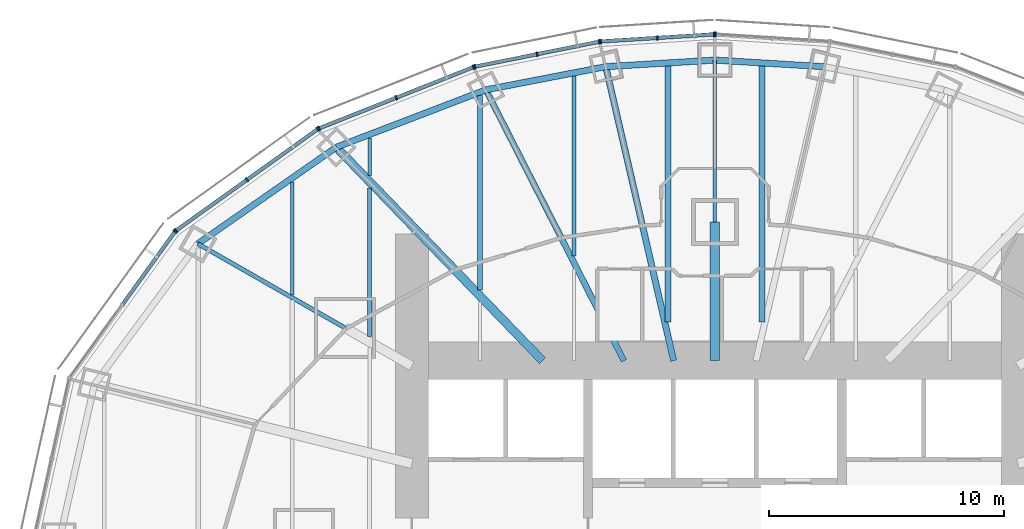
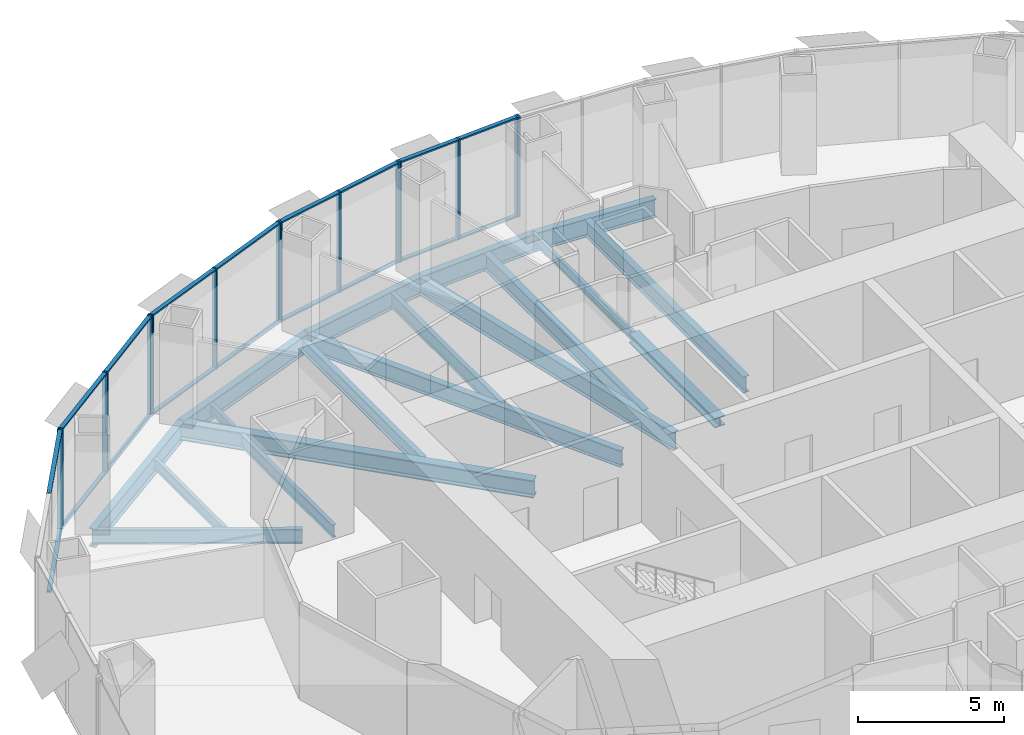
# One storey, part 7 of 18: 32 members, 18 beams, 6 elements without a shape of their own.
"""IFC4 building model written with IfcOpenShell, lengths in metres."""

from ifc_helpers import new_model, si_unit, direction, frame, origin, origin_2d, place, context, subcontext, project, spatial, rectangle, i_section, extrude, material, material_profile, profile_set, type_object, element, aggregate, save


model = new_model("IFC4")

# Units and contexts
model_context = context("Model", 3, precision=1e-05, world=origin(), true_north=direction((0.0, 1.0)))
body_context = subcontext(model_context, "Body", "Model", "MODEL_VIEW")
ifc_project = project(units=[si_unit("LENGTHUNIT", "METRE"), si_unit("AREAUNIT", "SQUARE_METRE"), si_unit("VOLUMEUNIT", "CUBIC_METRE"), si_unit("PLANEANGLEUNIT", "RADIAN"), si_unit("MASSUNIT", "GRAM", prefix="KILO")], contexts=[model_context])

# Site, building, storey
site_placement = place(None, origin())
site = spatial("IfcSite", under=ifc_project, at=site_placement, CompositionType="ELEMENT")
building_placement = place(site_placement, origin())
building = spatial("IfcBuilding", under=site, at=building_placement, Name="Lantaw Convention Tower", CompositionType="ELEMENT")
storey_placement = place(building_placement, frame((0.0, 0.0, 138.39990234375)))
storey = spatial("IfcBuildingStorey", under=building, at=storey_placement, Name="L32", CompositionType="ELEMENT", Elevation=138.39990234375)

# Beams
ifc_material_1 = material(Name="Steel ASTM A992", Category="steel")
ifc_material_profile_1 = material_profile(ifc_material_1, i_section(OverallWidth=0.2666015625, OverallDepth=0.76953125, WebThickness=0.015625, FlangeThickness=0.025390625, FilletRadius=0.0126953125, at=origin_2d()), Name="W30X132")
ifc_profile_set_1 = profile_set([ifc_material_profile_1], Name="Steel ASTM A992")
beam_type_1 = type_object("IfcBeamType", Name="Beam E W30X132", PredefinedType="SPANDREL", material=ifc_profile_set_1)
for number, where, z_axis, x_axis, name in (
    (1, (4.64501953125, 20.1201171875, -0.53466796875), (-0.998190892054, 0.06012439621, 0.0), (-0.06012439621, -0.998190892054, 0.0), "Edge beam 6"),
    (2, (0.0, 20.39990234375, -0.53466796875), (-0.998190892054, -0.06012439621, 0.0), (0.06012439621, -0.998190892054, 0.0), "Edge beam 7"),
):
    element("IfcBeam", number, at=place(storey_placement, frame(where, z_axis=z_axis, x_axis=x_axis)), inside=storey, type_object=beam_type_1, Name=name, PredefinedType="SPANDREL", context=body_context, shape_type="SweptSolid", body=[
        extrude(i_section(OverallWidth=0.2666015625, OverallDepth=0.76953125, WebThickness=0.015625, FlangeThickness=0.025390625, FilletRadius=0.0126953125, at=origin_2d()), origin(), (0.0, 0.0, 1.0), 4.6533203125),
    ])
beam_1_placement = place(storey_placement, frame((-4.64501953125, 20.1201171875, -0.53466796875), z_axis=(-0.981796805654, -0.189934284446, 0.0), x_axis=(0.189934284446, -0.981796805654, 0.0)))
element("IfcBeam", 3, at=beam_1_placement, inside=storey, type_object=beam_type_1, Name="Edge beam 8", PredefinedType="SPANDREL", context=body_context, shape_type="SweptSolid", body=[
    extrude(i_section(OverallWidth=0.2666015625, OverallDepth=0.76953125, WebThickness=0.015625, FlangeThickness=0.025390625, FilletRadius=0.0126953125, at=origin_2d()), origin(), (0.0, 0.0, 1.0), 5.1982421875),
])
beam_2_placement = place(storey_placement, frame((-9.74853515625, 19.1328125, -0.53466796875), z_axis=(-0.933691081977, -0.358079549033, 0.0), x_axis=(0.358079549033, -0.933691081977, 0.0)))
element("IfcBeam", 4, at=beam_2_placement, inside=storey, type_object=beam_type_1, Name="Edge beam 9", PredefinedType="SPANDREL", context=body_context, shape_type="SweptSolid", body=[
    extrude(i_section(OverallWidth=0.2666015625, OverallDepth=0.76953125, WebThickness=0.015625, FlangeThickness=0.025390625, FilletRadius=0.0126953125, at=origin_2d()), origin(), (0.0, 0.0, 1.0), 6.821533203125),
])
beam_3_placement = place(storey_placement, frame((-16.11767578125, 16.690185546875, -0.53466796875), z_axis=(-0.820310765287, -0.57191804339, 0.0), x_axis=(0.57191804339, -0.820310765287, 0.0)))
element("IfcBeam", 5, at=beam_3_placement, inside=storey, type_object=beam_type_1, Name="Edge beam 10", PredefinedType="SPANDREL", context=body_context, shape_type="SweptSolid", body=[
    extrude(i_section(OverallWidth=0.2666015625, OverallDepth=0.76953125, WebThickness=0.015625, FlangeThickness=0.025390625, FilletRadius=0.0126953125, at=origin_2d()), origin(), (0.0, 0.0, 1.0), 7.187744140625),
])
ifc_material_profile_2 = material_profile(ifc_material_1, i_section(OverallWidth=0.140380859375, OverallDepth=0.40380859375, WebThickness=0.007080078125, FlangeThickness=0.01123046875, FilletRadius=0.01025390625, at=origin_2d()), Name="W16X31")
ifc_profile_set_2 = profile_set([ifc_material_profile_2], Name="Steel ASTM A992")
beam_type_2 = type_object("IfcBeamType", Name="Beam G W16X31", PredefinedType="BEAM", material=ifc_profile_set_2)
beam_4_placement = place(storey_placement, frame((0.0, 13.5, -0.351806640625), z_axis=(0.0, 1.0, 0.0), x_axis=(-1.0, 0.0, 0.0)))
element("IfcBeam", 6, at=beam_4_placement, inside=storey, type_object=beam_type_2, Name="Floor girder on ray 7", PredefinedType="BEAM", context=body_context, shape_type="SweptSolid", body=[
    extrude(i_section(OverallWidth=0.140380859375, OverallDepth=0.40380859375, WebThickness=0.007080078125, FlangeThickness=0.01123046875, FilletRadius=0.01025390625, at=origin_2d()), origin(), (0.0, 0.0, 1.0), 6.89990234375),
])
ifc_material_profile_3 = material_profile(ifc_material_1, i_section(OverallWidth=0.177978515625, OverallDepth=0.599365234375, WebThickness=0.010009765625, FlangeThickness=0.012939453125, FilletRadius=0.012939453125, at=origin_2d()), Name="W24X55")
ifc_profile_set_3 = profile_set([ifc_material_profile_3], Name="Steel ASTM A992")
beam_type_3 = type_object("IfcBeamType", Name="Beam G W24X55", PredefinedType="BEAM", material=ifc_profile_set_3)
beam_5_placement = place(storey_placement, frame((-15.75, 9.0, -0.44970703125), z_axis=(-0.868245224608, 0.496135293993, 0.0), x_axis=(-0.496135293993, -0.868245224608, 0.0)))
element("IfcBeam", 7, at=beam_5_placement, inside=storey, type_object=beam_type_3, Name="Floor girder on ray 11", PredefinedType="BEAM", context=body_context, shape_type="SweptSolid", body=[
    extrude(i_section(OverallWidth=0.177978515625, OverallDepth=0.599365234375, WebThickness=0.010009765625, FlangeThickness=0.012939453125, FilletRadius=0.012939453125, at=origin_2d()), origin(), (0.0, 0.0, 1.0), 7.21435546875),
])
ifc_material_profile_4 = material_profile(ifc_material_1, i_section(OverallWidth=0.25390625, OverallDepth=0.700927734375, WebThickness=0.015380859375, FlangeThickness=0.02783203125, FilletRadius=0.01513671875, at=origin_2d()), Name="W27X129")
ifc_profile_set_4 = profile_set([ifc_material_profile_4], Name="Steel ASTM A992")
beam_type_4 = type_object("IfcBeamType", Name="Beam G W27X129", PredefinedType="BEAM", material=ifc_profile_set_4)
beam_6_placement = place(storey_placement, frame((-3.872314453125, 7.60009765625, -0.50048828125), z_axis=(-0.453991051051, 0.891006243281, 0.0), x_axis=(-0.891006243281, -0.453991051051, 0.0)))
element("IfcBeam", 8, at=beam_6_placement, inside=storey, type_object=beam_type_4, Name="Floor girder on ray 9", PredefinedType="BEAM", context=body_context, shape_type="SweptSolid", body=[
    extrude(i_section(OverallWidth=0.25390625, OverallDepth=0.700927734375, WebThickness=0.015380859375, FlangeThickness=0.02783203125, FilletRadius=0.01513671875, at=origin_2d()), origin(), (0.0, 0.0, 1.0), 12.943359375),
])
ifc_material_profile_5 = material_profile(ifc_material_1, i_section(OverallWidth=0.360595703125, OverallDepth=0.72900390625, WebThickness=0.023193359375, FlangeThickness=0.041015625, FilletRadius=0.0126953125, at=origin_2d()), Name="W27X235")
ifc_profile_set_5 = profile_set([ifc_material_profile_5], Name="Steel ASTM A992")
beam_type_5 = type_object("IfcBeamType", Name="Beam G W27X235", PredefinedType="BEAM", material=ifc_profile_set_5)
beam_7_placement = place(storey_placement, frame((-7.33935546875, 7.60009765625, -0.514404296875), z_axis=(-0.694663467407, 0.719334878239, 0.0), x_axis=(-0.719334878239, -0.694663467407, 0.0)))
element("IfcBeam", 9, at=beam_7_placement, inside=storey, type_object=beam_type_5, Name="Floor girder on ray 10", PredefinedType="BEAM", context=body_context, shape_type="SweptSolid", body=[
    extrude(i_section(OverallWidth=0.360595703125, OverallDepth=0.72900390625, WebThickness=0.023193359375, FlangeThickness=0.041015625, FilletRadius=0.0126953125, at=origin_2d()), origin(), (0.0, 0.0, 1.0), 12.63671875),
])
ifc_material_profile_6 = material_profile(ifc_material_1, i_section(OverallWidth=0.2666015625, OverallDepth=0.7568359375, WebThickness=0.013916015625, FlangeThickness=0.019287109375, FilletRadius=0.0126953125, at=origin_2d()), Name="W30X108")
ifc_profile_set_6 = profile_set([ifc_material_profile_6], Name="Steel ASTM A992")
beam_type_6 = type_object("IfcBeamType", Name="Beam G W30X108", PredefinedType="BEAM", material=ifc_profile_set_6)
beam_8_placement = place(storey_placement, frame((-1.754638671875, 7.60009765625, -0.5283203125), z_axis=(-0.224944153104, 0.974371658036, 0.0), x_axis=(-0.974371658036, -0.224944153104, 0.0)))
element("IfcBeam", 10, at=beam_8_placement, inside=storey, type_object=beam_type_6, Name="Floor girder on ray 8", PredefinedType="BEAM", context=body_context, shape_type="SweptSolid", body=[
    extrude(i_section(OverallWidth=0.2666015625, OverallDepth=0.7568359375, WebThickness=0.013916015625, FlangeThickness=0.019287109375, FilletRadius=0.0126953125, at=origin_2d()), origin(), (0.0, 0.0, 1.0), 12.849365234375),
])
ifc_material_profile_7 = material_profile(ifc_material_1, i_section(OverallWidth=0.40380859375, OverallDepth=0.406494140625, WebThickness=0.027099609375, FlangeThickness=0.043701171875, FilletRadius=0.01513671875, at=origin_2d()), Name="W14X233")
ifc_profile_set_7 = profile_set([ifc_material_profile_7], Name="Steel ASTM A992")
beam_type_7 = type_object("IfcBeamType", Name="Beam GM W14X233", PredefinedType="BEAM", material=ifc_profile_set_7)
beam_9_placement = place(storey_placement, frame((0.0, 7.60009765625, -0.35302734375), z_axis=(0.0, 1.0, 0.0), x_axis=(-1.0, 0.0, 0.0)))
element("IfcBeam", 11, at=beam_9_placement, inside=storey, type_object=beam_type_7, Name="Core link beam on ray 7", PredefinedType="BEAM", context=body_context, shape_type="SweptSolid", body=[
    extrude(i_section(OverallWidth=0.40380859375, OverallDepth=0.406494140625, WebThickness=0.027099609375, FlangeThickness=0.043701171875, FilletRadius=0.01513671875, at=origin_2d()), origin(), (0.0, 0.0, 1.0), 5.89990234375),
])
ifc_material_profile_8 = material_profile(ifc_material_1, i_section(OverallWidth=0.140380859375, OverallDepth=0.40380859375, WebThickness=0.007080078125, FlangeThickness=0.01123046875, FilletRadius=0.01025390625, at=origin_2d()), Name="W16X31")
ifc_profile_set_8 = profile_set([ifc_material_profile_8], Name="Steel ASTM A992")
beam_type_8 = type_object("IfcBeamType", Name="Beam J W16X31", PredefinedType="JOIST", material=ifc_profile_set_8)
beam_10_placement = place(storey_placement, frame((-14.699951171875, 15.48193359375, -0.351806640625), z_axis=(0.0, 1.0, 0.0), x_axis=(-1.0, 0.0, 0.0)))
element("IfcBeam", 12, at=beam_10_placement, inside=storey, type_object=beam_type_8, Name="Floor joist", PredefinedType="JOIST", context=body_context, shape_type="SweptSolid", body=[
    extrude(i_section(OverallWidth=0.140380859375, OverallDepth=0.40380859375, WebThickness=0.007080078125, FlangeThickness=0.01123046875, FilletRadius=0.01025390625, at=origin_2d()), origin(), (0.0, 0.0, 1.0), 1.609130859375),
])
ifc_material_profile_9 = material_profile(ifc_material_1, i_section(OverallWidth=0.15234375, OverallDepth=0.449462890625, WebThickness=0.007568359375, FlangeThickness=0.0107421875, FilletRadius=0.01025390625, at=origin_2d()), Name="W18X35")
ifc_profile_set_9 = profile_set([ifc_material_profile_9], Name="Steel ASTM A992")
beam_type_9 = type_object("IfcBeamType", Name="Beam J W18X35", PredefinedType="JOIST", material=ifc_profile_set_9)
beam_11_placement = place(storey_placement, frame((-18.0, 10.38818359375, -0.374755859375), z_axis=(0.0, 1.0, 0.0), x_axis=(-1.0, 0.0, 0.0)))
element("IfcBeam", 13, at=beam_11_placement, inside=storey, type_object=beam_type_9, Name="Floor joist", PredefinedType="JOIST", context=body_context, shape_type="SweptSolid", body=[
    extrude(i_section(OverallWidth=0.15234375, OverallDepth=0.449462890625, WebThickness=0.007568359375, FlangeThickness=0.0107421875, FilletRadius=0.01025390625, at=origin_2d()), origin(), (0.0, 0.0, 1.0), 4.8271484375),
])
ifc_material_profile_10 = material_profile(ifc_material_1, i_section(OverallWidth=0.1650390625, OverallDepth=0.52587890625, WebThickness=0.0087890625, FlangeThickness=0.011474609375, FilletRadius=0.0126953125, at=origin_2d()), Name="W21X44")
ifc_profile_set_10 = profile_set([ifc_material_profile_10], Name="Steel ASTM A992")
beam_type_10 = type_object("IfcBeamType", Name="Beam J W21X44", PredefinedType="JOIST", material=ifc_profile_set_10)
beam_12_placement = place(storey_placement, frame((-14.699951171875, 8.632568359375, -0.412841796875), z_axis=(0.0, 1.0, 0.0), x_axis=(-1.0, 0.0, 0.0)))
element("IfcBeam", 14, at=beam_12_placement, inside=storey, type_object=beam_type_10, Name="Floor joist", PredefinedType="JOIST", context=body_context, shape_type="SweptSolid", body=[
    extrude(i_section(OverallWidth=0.1650390625, OverallDepth=0.52587890625, WebThickness=0.0087890625, FlangeThickness=0.011474609375, FilletRadius=0.0126953125, at=origin_2d()), origin(), (0.0, 0.0, 1.0), 6.330078125),
])
ifc_material_profile_11 = material_profile(ifc_material_1, i_section(OverallWidth=0.2099609375, OverallDepth=0.535888671875, WebThickness=0.010986328125, FlangeThickness=0.017333984375, FilletRadius=0.012939453125, at=origin_2d()), Name="W21X68")
ifc_profile_set_11 = profile_set([ifc_material_profile_11], Name="Steel ASTM A992")
beam_type_11 = type_object("IfcBeamType", Name="Beam J W21X68", PredefinedType="JOIST", material=ifc_profile_set_11)
beam_13_placement = place(storey_placement, frame((-10.0, 10.614990234375, -0.41796875), z_axis=(0.0, 1.0, 0.0), x_axis=(-1.0, 0.0, 0.0)))
element("IfcBeam", 15, at=beam_13_placement, inside=storey, type_object=beam_type_11, Name="Floor joist", PredefinedType="JOIST", context=body_context, shape_type="SweptSolid", body=[
    extrude(i_section(OverallWidth=0.2099609375, OverallDepth=0.535888671875, WebThickness=0.010986328125, FlangeThickness=0.017333984375, FilletRadius=0.012939453125, at=origin_2d()), origin(), (0.0, 0.0, 1.0), 8.278564453125),
])
ifc_material_profile_12 = material_profile(ifc_material_1, i_section(OverallWidth=0.177978515625, OverallDepth=0.599365234375, WebThickness=0.010009765625, FlangeThickness=0.012939453125, FilletRadius=0.012939453125, at=origin_2d()), Name="W24X55")
ifc_profile_set_12 = profile_set([ifc_material_profile_12], Name="Steel ASTM A992")
beam_type_12 = type_object("IfcBeamType", Name="Beam J W24X55", PredefinedType="JOIST", material=ifc_profile_set_12)
beam_14_placement = place(storey_placement, frame((-6.0, 12.055419921875, -0.44970703125), z_axis=(0.0, 1.0, 0.0), x_axis=(-1.0, 0.0, 0.0)))
element("IfcBeam", 16, at=beam_14_placement, inside=storey, type_object=beam_type_12, Name="Floor joist", PredefinedType="JOIST", context=body_context, shape_type="SweptSolid", body=[
    extrude(i_section(OverallWidth=0.177978515625, OverallDepth=0.599365234375, WebThickness=0.010009765625, FlangeThickness=0.012939453125, FilletRadius=0.012939453125, at=origin_2d()), origin(), (0.0, 0.0, 1.0), 7.666748046875),
])
ifc_material_profile_13 = material_profile(ifc_material_1, i_section(OverallWidth=0.25390625, OverallDepth=0.683349609375, WebThickness=0.012451171875, FlangeThickness=0.01904296875, FilletRadius=0.01513671875, at=origin_2d()), Name="W27X94")
ifc_profile_set_13 = profile_set([ifc_material_profile_13], Name="Steel ASTM A992")
beam_type_13 = type_object("IfcBeamType", Name="Beam J W27X94", PredefinedType="JOIST", material=ifc_profile_set_13)
for number, where, z_axis, x_axis, name in (
    (17, (-2.0, 9.255859375, -0.491455078125), (0.0, 1.0, 0.0), (-1.0, 0.0, 0.0), "Floor joist"),
    (18, (2.0, 9.255859375, -0.491455078125), (0.0, 1.0, 0.0), (-1.0, 0.0, 0.0), "Floor joist"),
):
    element("IfcBeam", number, at=place(storey_placement, frame(where, z_axis=z_axis, x_axis=x_axis)), inside=storey, type_object=beam_type_13, Name=name, PredefinedType="JOIST", context=body_context, shape_type="SweptSolid", body=[
        extrude(i_section(OverallWidth=0.25390625, OverallDepth=0.683349609375, WebThickness=0.012451171875, FlangeThickness=0.01904296875, FilletRadius=0.01513671875, at=origin_2d()), origin(), (0.0, 0.0, 1.0), 10.889892578125),
    ])

# Curtain wall, member
ifc_material_2 = material(Name="Aluminium framed curtain wall", Category="aluminium")
curtain_wall_type = type_object("IfcCurtainWallType", Name="Office curtain wall low rise, pale aluminium", PredefinedType="USERDEFINED", material=ifc_material_2)
curtain_wall_1_placement = place(storey_placement, origin())
curtain_wall_1 = element("IfcCurtainWall", 19, at=curtain_wall_1_placement, inside=storey, type_object=curtain_wall_type, Name="Office curtain wall low rise, pale aluminium L32", ObjectType="UNITISED CURTAIN WALL", PredefinedType="USERDEFINED")
ifc_material_3 = material(Name="Aluminium 6063-T6", Category="aluminium")
ifc_material_profile_14 = material_profile(ifc_material_3, rectangle(XDim=0.199951171875, YDim=0.06494140625, at=origin_2d()), Name="CW-O1 mullion 65x200")
ifc_profile_set_14 = profile_set([ifc_material_profile_14], Name="Aluminium 6063-T6")
member_type_1 = type_object("IfcMemberType", Name="CW-O1 mullion 65x200", PredefinedType="MULLION", material=ifc_profile_set_14)
member_1_placement = place(storey_placement, frame((0.032470703125, 21.498046875, -0.14990234375), z_axis=(0.0, 0.0, 1.0), x_axis=(-0.062865059466, -0.998022035978, 0.0)))
member_1 = element("IfcMember", 20, at=member_1_placement, type_object=member_type_1, Name="CW-O1 mullion 3", PredefinedType="MULLION", context=body_context, shape_type="SweptSolid", body=[
    extrude(rectangle(XDim=0.199951171875, YDim=0.06494140625, at=origin_2d()), origin(), (0.0, 0.0, 1.0), 4.199951171875),
])
aggregate(curtain_wall_1, [member_1])

# Curtain wall, members
curtain_wall_2_placement = place(storey_placement, origin())
curtain_wall_2 = element("IfcCurtainWall", 21, at=curtain_wall_2_placement, inside=storey, type_object=curtain_wall_type, Name="Office curtain wall low rise, pale aluminium L32", ObjectType="UNITISED CURTAIN WALL", PredefinedType="USERDEFINED")
member_2_placement = place(storey_placement, frame((-0.032470703125, 21.498046875, -0.14990234375), z_axis=(0.0, 0.0, 1.0), x_axis=(0.062865059466, -0.998022035978, 0.0)))
member_2 = element("IfcMember", 22, at=member_2_placement, type_object=member_type_1, Name="CW-O1 mullion 1", PredefinedType="MULLION", context=body_context, shape_type="SweptSolid", body=[
    extrude(rectangle(XDim=0.199951171875, YDim=0.06494140625, at=origin_2d()), origin(), (0.0, 0.0, 1.0), 4.199951171875),
])
member_3_placement = place(storey_placement, frame((-2.4462890625, 21.345947265625, -0.14990234375), z_axis=(0.0, 0.0, 1.0), x_axis=(0.062865059466, -0.998022035978, 0.0)))
member_3 = element("IfcMember", 23, at=member_3_placement, type_object=member_type_1, Name="CW-O1 mullion 2", PredefinedType="MULLION", context=body_context, shape_type="SweptSolid", body=[
    extrude(rectangle(XDim=0.199951171875, YDim=0.06494140625, at=origin_2d()), origin(), (0.0, 0.0, 1.0), 4.199951171875),
])
member_4_placement = place(storey_placement, frame((-4.860107421875, 21.19384765625, -0.14990234375), z_axis=(0.0, 0.0, 1.0), x_axis=(0.062865059466, -0.998022035978, 0.0)))
member_4 = element("IfcMember", 24, at=member_4_placement, type_object=member_type_1, Name="CW-O1 mullion 3", PredefinedType="MULLION", context=body_context, shape_type="SweptSolid", body=[
    extrude(rectangle(XDim=0.199951171875, YDim=0.06494140625, at=origin_2d()), origin(), (0.0, 0.0, 1.0), 4.199951171875),
])

curtain_wall_3_placement = place(storey_placement, origin())
curtain_wall_3 = element("IfcCurtainWall", 25, at=curtain_wall_3_placement, inside=storey, type_object=curtain_wall_type, Name="Office curtain wall low rise, pale aluminium L32", ObjectType="UNITISED CURTAIN WALL", PredefinedType="USERDEFINED")
member_5_placement = place(storey_placement, frame((-4.92431640625, 21.185302734375, -0.14990234375), z_axis=(0.0, 0.0, 1.0), x_axis=(0.197506809659, -0.980301514912, 0.0)))
member_5 = element("IfcMember", 26, at=member_5_placement, type_object=member_type_1, Name="CW-O1 mullion 1", PredefinedType="MULLION", context=body_context, shape_type="SweptSolid", body=[
    extrude(rectangle(XDim=0.199951171875, YDim=0.06494140625, at=origin_2d()), origin(), (0.0, 0.0, 1.0), 4.199951171875),
])
member_6_placement = place(storey_placement, frame((-7.5703125, 20.65234375, -0.14990234375), z_axis=(0.0, 0.0, 1.0), x_axis=(0.197506809659, -0.980301514912, 0.0)))
member_6 = element("IfcMember", 27, at=member_6_placement, type_object=member_type_1, Name="CW-O1 mullion 2", PredefinedType="MULLION", context=body_context, shape_type="SweptSolid", body=[
    extrude(rectangle(XDim=0.199951171875, YDim=0.06494140625, at=origin_2d()), origin(), (0.0, 0.0, 1.0), 4.199951171875),
])
member_7_placement = place(storey_placement, frame((-10.216064453125, 20.119140625, -0.14990234375), z_axis=(0.0, 0.0, 1.0), x_axis=(0.197506809659, -0.980301514912, 0.0)))
member_7 = element("IfcMember", 28, at=member_7_placement, type_object=member_type_1, Name="CW-O1 mullion 3", PredefinedType="MULLION", context=body_context, shape_type="SweptSolid", body=[
    extrude(rectangle(XDim=0.199951171875, YDim=0.06494140625, at=origin_2d()), origin(), (0.0, 0.0, 1.0), 4.199951171875),
])

curtain_wall_4_placement = place(storey_placement, origin())
curtain_wall_4 = element("IfcCurtainWall", 29, at=curtain_wall_4_placement, inside=storey, type_object=curtain_wall_type, Name="Office curtain wall low rise, pale aluminium L32", ObjectType="UNITISED CURTAIN WALL", PredefinedType="USERDEFINED")
member_8_placement = place(storey_placement, frame((-10.2783203125, 20.100830078125, -0.14990234375), z_axis=(0.0, 0.0, 1.0), x_axis=(0.368701907483, -0.929547687544, 0.0)))
member_8 = element("IfcMember", 30, at=member_8_placement, type_object=member_type_1, Name="CW-O1 mullion 1", PredefinedType="MULLION", context=body_context, shape_type="SweptSolid", body=[
    extrude(rectangle(XDim=0.199951171875, YDim=0.06494140625, at=origin_2d()), origin(), (0.0, 0.0, 1.0), 4.199951171875),
])
member_9_placement = place(storey_placement, frame((-13.56494140625, 18.797119140625, -0.14990234375), z_axis=(0.0, 0.0, 1.0), x_axis=(0.368701907483, -0.929547687544, 0.0)))
member_9 = element("IfcMember", 31, at=member_9_placement, type_object=member_type_1, Name="CW-O1 mullion 2", PredefinedType="MULLION", context=body_context, shape_type="SweptSolid", body=[
    extrude(rectangle(XDim=0.199951171875, YDim=0.06494140625, at=origin_2d()), origin(), (0.0, 0.0, 1.0), 4.199951171875),
])
member_10_placement = place(storey_placement, frame((-16.8515625, 17.49365234375, -0.14990234375), z_axis=(0.0, 0.0, 1.0), x_axis=(0.368701907483, -0.929547687544, 0.0)))
member_10 = element("IfcMember", 32, at=member_10_placement, type_object=member_type_1, Name="CW-O1 mullion 3", PredefinedType="MULLION", context=body_context, shape_type="SweptSolid", body=[
    extrude(rectangle(XDim=0.199951171875, YDim=0.06494140625, at=origin_2d()), origin(), (0.0, 0.0, 1.0), 4.199951171875),
])

curtain_wall_5_placement = place(storey_placement, origin())
curtain_wall_5 = element("IfcCurtainWall", 33, at=curtain_wall_5_placement, inside=storey, type_object=curtain_wall_type, Name="Office curtain wall low rise, pale aluminium L32", ObjectType="UNITISED CURTAIN WALL", PredefinedType="USERDEFINED")
member_11_placement = place(storey_placement, frame((-16.908203125, 17.462646484375, -0.14990234375), z_axis=(0.0, 0.0, 1.0), x_axis=(0.581972695693, -0.813208325995, 0.0)))
member_11 = element("IfcMember", 34, at=member_11_placement, type_object=member_type_1, Name="CW-O1 mullion 1", PredefinedType="MULLION", context=body_context, shape_type="SweptSolid", body=[
    extrude(rectangle(XDim=0.199951171875, YDim=0.06494140625, at=origin_2d()), origin(), (0.0, 0.0, 1.0), 4.199951171875),
])
member_12_placement = place(storey_placement, frame((-19.92529296875, 15.303466796875, -0.14990234375), z_axis=(0.0, 0.0, 1.0), x_axis=(0.581972695693, -0.813208325995, 0.0)))
member_12 = element("IfcMember", 35, at=member_12_placement, type_object=member_type_1, Name="CW-O1 mullion 2", PredefinedType="MULLION", context=body_context, shape_type="SweptSolid", body=[
    extrude(rectangle(XDim=0.199951171875, YDim=0.06494140625, at=origin_2d()), origin(), (0.0, 0.0, 1.0), 4.199951171875),
])
member_13_placement = place(storey_placement, frame((-22.942626953125, 13.14404296875, -0.14990234375), z_axis=(0.0, 0.0, 1.0), x_axis=(0.581972695693, -0.813208325995, 0.0)))
member_13 = element("IfcMember", 36, at=member_13_placement, type_object=member_type_1, Name="CW-O1 mullion 3", PredefinedType="MULLION", context=body_context, shape_type="SweptSolid", body=[
    extrude(rectangle(XDim=0.199951171875, YDim=0.06494140625, at=origin_2d()), origin(), (0.0, 0.0, 1.0), 4.199951171875),
])

# Curtain wall, member
curtain_wall_6_placement = place(storey_placement, origin())
curtain_wall_6 = element("IfcCurtainWall", 37, at=curtain_wall_6_placement, inside=storey, type_object=curtain_wall_type, Name="Office curtain wall low rise, pale aluminium L32", ObjectType="UNITISED CURTAIN WALL", PredefinedType="USERDEFINED")
member_14_placement = place(storey_placement, frame((-22.988037109375, 13.098876953125, -0.14990234375), z_axis=(0.0, 0.0, 1.0), x_axis=(0.811384633629, -0.584512597221, 0.0)))
member_14 = element("IfcMember", 38, at=member_14_placement, type_object=member_type_1, Name="CW-O1 mullion 1", PredefinedType="MULLION", context=body_context, shape_type="SweptSolid", body=[
    extrude(rectangle(XDim=0.199951171875, YDim=0.06494140625, at=origin_2d()), origin(), (0.0, 0.0, 1.0), 4.199951171875),
])

# Member
ifc_material_profile_15 = material_profile(ifc_material_3, rectangle(XDim=0.159912109375, YDim=0.06494140625, at=origin_2d()), Name="CW-O1 transom 65x160")
ifc_profile_set_15 = profile_set([ifc_material_profile_15], Name="Aluminium 6063-T6")
member_type_2 = type_object("IfcMemberType", Name="CW-O1 transom 65x160", PredefinedType="USERDEFINED", material=ifc_profile_set_15)
member_15_placement = place(storey_placement, frame((-0.06494140625, 21.495849609375, -0.117431640625), z_axis=(-0.998022188463, -0.062862638625, 0.0), x_axis=(0.062862638625, -0.998022188463, 0.0)))
member_15 = element("IfcMember", 39, at=member_15_placement, type_object=member_type_2, Name="CW-O1 transom 1.1", ObjectType="TRANSOM", PredefinedType="USERDEFINED", context=body_context, shape_type="SweptSolid", body=[
    extrude(rectangle(XDim=0.159912109375, YDim=0.06494140625, at=origin_2d()), origin(), (0.0, 0.0, 1.0), 2.353515625),
])

member_16_placement = place(storey_placement, frame((-0.06494140625, 21.495849609375, 4.017578125), z_axis=(-0.998022188463, -0.062862638625, 0.0), x_axis=(0.062862638625, -0.998022188463, 0.0)))
member_16 = element("IfcMember", 40, at=member_16_placement, type_object=member_type_2, Name="CW-O1 transom 1.2", ObjectType="TRANSOM", PredefinedType="USERDEFINED", context=body_context, shape_type="SweptSolid", body=[
    extrude(rectangle(XDim=0.159912109375, YDim=0.06494140625, at=origin_2d()), origin(), (0.0, 0.0, 1.0), 2.353515625),
])

member_17_placement = place(storey_placement, frame((-2.478759765625, 21.34375, -0.117431640625), z_axis=(-0.998022188463, -0.062862638625, 0.0), x_axis=(0.062862638625, -0.998022188463, 0.0)))
member_17 = element("IfcMember", 41, at=member_17_placement, type_object=member_type_2, Name="CW-O1 transom 2.1", ObjectType="TRANSOM", PredefinedType="USERDEFINED", context=body_context, shape_type="SweptSolid", body=[
    extrude(rectangle(XDim=0.159912109375, YDim=0.06494140625, at=origin_2d()), origin(), (0.0, 0.0, 1.0), 2.353515625),
])

member_18_placement = place(storey_placement, frame((-2.478759765625, 21.34375, 4.017578125), z_axis=(-0.998022188463, -0.062862638625, 0.0), x_axis=(0.062862638625, -0.998022188463, 0.0)))
member_18 = element("IfcMember", 42, at=member_18_placement, type_object=member_type_2, Name="CW-O1 transom 2.2", ObjectType="TRANSOM", PredefinedType="USERDEFINED", context=body_context, shape_type="SweptSolid", body=[
    extrude(rectangle(XDim=0.159912109375, YDim=0.06494140625, at=origin_2d()), origin(), (0.0, 0.0, 1.0), 2.353515625),
])

aggregate(curtain_wall_2, [member_2, member_3, member_4, member_15, member_16, member_17, member_18])

member_19_placement = place(storey_placement, frame((-4.956298828125, 21.178955078125, -0.117431640625), z_axis=(-0.980298027092, -0.197524120247, 0.0), x_axis=(0.197524120247, -0.980298027092, 0.0)))
member_19 = element("IfcMember", 43, at=member_19_placement, type_object=member_type_2, Name="CW-O1 transom 1.1", ObjectType="TRANSOM", PredefinedType="USERDEFINED", context=body_context, shape_type="SweptSolid", body=[
    extrude(rectangle(XDim=0.159912109375, YDim=0.06494140625, at=origin_2d()), origin(), (0.0, 0.0, 1.0), 2.634033203125),
])

member_20_placement = place(storey_placement, frame((-4.956298828125, 21.178955078125, 4.017578125), z_axis=(-0.980298027092, -0.197524120247, 0.0), x_axis=(0.197524120247, -0.980298027092, 0.0)))
member_20 = element("IfcMember", 44, at=member_20_placement, type_object=member_type_2, Name="CW-O1 transom 1.2", ObjectType="TRANSOM", PredefinedType="USERDEFINED", context=body_context, shape_type="SweptSolid", body=[
    extrude(rectangle(XDim=0.159912109375, YDim=0.06494140625, at=origin_2d()), origin(), (0.0, 0.0, 1.0), 2.634033203125),
])

member_21_placement = place(storey_placement, frame((-7.60205078125, 20.64599609375, -0.117431640625), z_axis=(-0.980301643003, -0.197506173891, 0.0), x_axis=(0.197506173891, -0.980301643003, 0.0)))
member_21 = element("IfcMember", 45, at=member_21_placement, type_object=member_type_2, Name="CW-O1 transom 2.1", ObjectType="TRANSOM", PredefinedType="USERDEFINED", context=body_context, shape_type="SweptSolid", body=[
    extrude(rectangle(XDim=0.159912109375, YDim=0.06494140625, at=origin_2d()), origin(), (0.0, 0.0, 1.0), 2.63427734375),
])

member_22_placement = place(storey_placement, frame((-7.60205078125, 20.64599609375, 4.017578125), z_axis=(-0.980301643003, -0.197506173891, 0.0), x_axis=(0.197506173891, -0.980301643003, 0.0)))
member_22 = element("IfcMember", 46, at=member_22_placement, type_object=member_type_2, Name="CW-O1 transom 2.2", ObjectType="TRANSOM", PredefinedType="USERDEFINED", context=body_context, shape_type="SweptSolid", body=[
    extrude(rectangle(XDim=0.159912109375, YDim=0.06494140625, at=origin_2d()), origin(), (0.0, 0.0, 1.0), 2.63427734375),
])

aggregate(curtain_wall_3, [member_5, member_6, member_7, member_19, member_20, member_21, member_22])

member_23_placement = place(storey_placement, frame((-10.308349609375, 20.0888671875, -0.117431640625), z_axis=(-0.929540081544, -0.368721082668, 0.0), x_axis=(0.368721082668, -0.929540081544, 0.0)))
member_23 = element("IfcMember", 47, at=member_23_placement, type_object=member_type_2, Name="CW-O1 transom 1.1", ObjectType="TRANSOM", PredefinedType="USERDEFINED", context=body_context, shape_type="SweptSolid", body=[
    extrude(rectangle(XDim=0.159912109375, YDim=0.06494140625, at=origin_2d()), origin(), (0.0, 0.0, 1.0), 3.470947265625),
])

member_24_placement = place(storey_placement, frame((-10.308349609375, 20.0888671875, 4.017578125), z_axis=(-0.929540081544, -0.368721082668, 0.0), x_axis=(0.368721082668, -0.929540081544, 0.0)))
member_24 = element("IfcMember", 48, at=member_24_placement, type_object=member_type_2, Name="CW-O1 transom 1.2", ObjectType="TRANSOM", PredefinedType="USERDEFINED", context=body_context, shape_type="SweptSolid", body=[
    extrude(rectangle(XDim=0.159912109375, YDim=0.06494140625, at=origin_2d()), origin(), (0.0, 0.0, 1.0), 3.470947265625),
])

member_25_placement = place(storey_placement, frame((-13.594970703125, 18.78515625, -0.117431640625), z_axis=(-0.929564188507, -0.368660303592, 0.0), x_axis=(0.368660303592, -0.929564188507, 0.0)))
member_25 = element("IfcMember", 49, at=member_25_placement, type_object=member_type_2, Name="CW-O1 transom 2.1", ObjectType="TRANSOM", PredefinedType="USERDEFINED", context=body_context, shape_type="SweptSolid", body=[
    extrude(rectangle(XDim=0.159912109375, YDim=0.06494140625, at=origin_2d()), origin(), (0.0, 0.0, 1.0), 3.470703125),
])

member_26_placement = place(storey_placement, frame((-13.594970703125, 18.78515625, 4.017578125), z_axis=(-0.929564188507, -0.368660303592, 0.0), x_axis=(0.368660303592, -0.929564188507, 0.0)))
member_26 = element("IfcMember", 50, at=member_26_placement, type_object=member_type_2, Name="CW-O1 transom 2.2", ObjectType="TRANSOM", PredefinedType="USERDEFINED", context=body_context, shape_type="SweptSolid", body=[
    extrude(rectangle(XDim=0.159912109375, YDim=0.06494140625, at=origin_2d()), origin(), (0.0, 0.0, 1.0), 3.470703125),
])

aggregate(curtain_wall_4, [member_8, member_9, member_10, member_23, member_24, member_25, member_26])

member_27_placement = place(storey_placement, frame((-16.9345703125, 17.44384765625, -0.117431640625), z_axis=(-0.813190089133, -0.581998177777, 0.0), x_axis=(0.581998177777, -0.813190089133, 0.0)))
member_27 = element("IfcMember", 51, at=member_27_placement, type_object=member_type_2, Name="CW-O1 transom 1.1", ObjectType="TRANSOM", PredefinedType="USERDEFINED", context=body_context, shape_type="SweptSolid", body=[
    extrude(rectangle(XDim=0.159912109375, YDim=0.06494140625, at=origin_2d()), origin(), (0.0, 0.0, 1.0), 3.645263671875),
])

member_28_placement = place(storey_placement, frame((-16.9345703125, 17.44384765625, 4.017578125), z_axis=(-0.813190089133, -0.581998177777, 0.0), x_axis=(0.581998177777, -0.813190089133, 0.0)))
member_28 = element("IfcMember", 52, at=member_28_placement, type_object=member_type_2, Name="CW-O1 transom 1.2", ObjectType="TRANSOM", PredefinedType="USERDEFINED", context=body_context, shape_type="SweptSolid", body=[
    extrude(rectangle(XDim=0.159912109375, YDim=0.06494140625, at=origin_2d()), origin(), (0.0, 0.0, 1.0), 3.645263671875),
])

member_29_placement = place(storey_placement, frame((-19.951904296875, 15.284423828125, -0.117431640625), z_axis=(-0.813221785972, -0.581953887194, 0.0), x_axis=(0.581953887194, -0.813221785972, 0.0)))
member_29 = element("IfcMember", 53, at=member_29_placement, type_object=member_type_2, Name="CW-O1 transom 2.1", ObjectType="TRANSOM", PredefinedType="USERDEFINED", context=body_context, shape_type="SweptSolid", body=[
    extrude(rectangle(XDim=0.159912109375, YDim=0.06494140625, at=origin_2d()), origin(), (0.0, 0.0, 1.0), 3.645263671875),
])

member_30_placement = place(storey_placement, frame((-19.951904296875, 15.284423828125, 4.017578125), z_axis=(-0.813221785972, -0.581953887194, 0.0), x_axis=(0.581953887194, -0.813221785972, 0.0)))
member_30 = element("IfcMember", 54, at=member_30_placement, type_object=member_type_2, Name="CW-O1 transom 2.2", ObjectType="TRANSOM", PredefinedType="USERDEFINED", context=body_context, shape_type="SweptSolid", body=[
    extrude(rectangle(XDim=0.159912109375, YDim=0.06494140625, at=origin_2d()), origin(), (0.0, 0.0, 1.0), 3.645263671875),
])

aggregate(curtain_wall_5, [member_11, member_12, member_13, member_27, member_28, member_29, member_30])

member_31_placement = place(storey_placement, frame((-23.007080078125, 13.072509765625, -0.117431640625), z_axis=(-0.584512973979, -0.811384362217, 0.0), x_axis=(0.811384362217, -0.584512973979, 0.0)))
member_31 = element("IfcMember", 55, at=member_31_placement, type_object=member_type_2, Name="CW-O1 transom 1.1", ObjectType="TRANSOM", PredefinedType="USERDEFINED", context=body_context, shape_type="SweptSolid", body=[
    extrude(rectangle(XDim=0.159912109375, YDim=0.06494140625, at=origin_2d()), origin(), (0.0, 0.0, 1.0), 3.767578125),
])

member_32_placement = place(storey_placement, frame((-23.007080078125, 13.072509765625, 4.017578125), z_axis=(-0.584512973979, -0.811384362217, 0.0), x_axis=(0.811384362217, -0.584512973979, 0.0)))
member_32 = element("IfcMember", 56, at=member_32_placement, type_object=member_type_2, Name="CW-O1 transom 1.2", ObjectType="TRANSOM", PredefinedType="USERDEFINED", context=body_context, shape_type="SweptSolid", body=[
    extrude(rectangle(XDim=0.159912109375, YDim=0.06494140625, at=origin_2d()), origin(), (0.0, 0.0, 1.0), 3.767578125),
])

aggregate(curtain_wall_6, [member_14, member_31, member_32])

save(model, "model.ifc")
